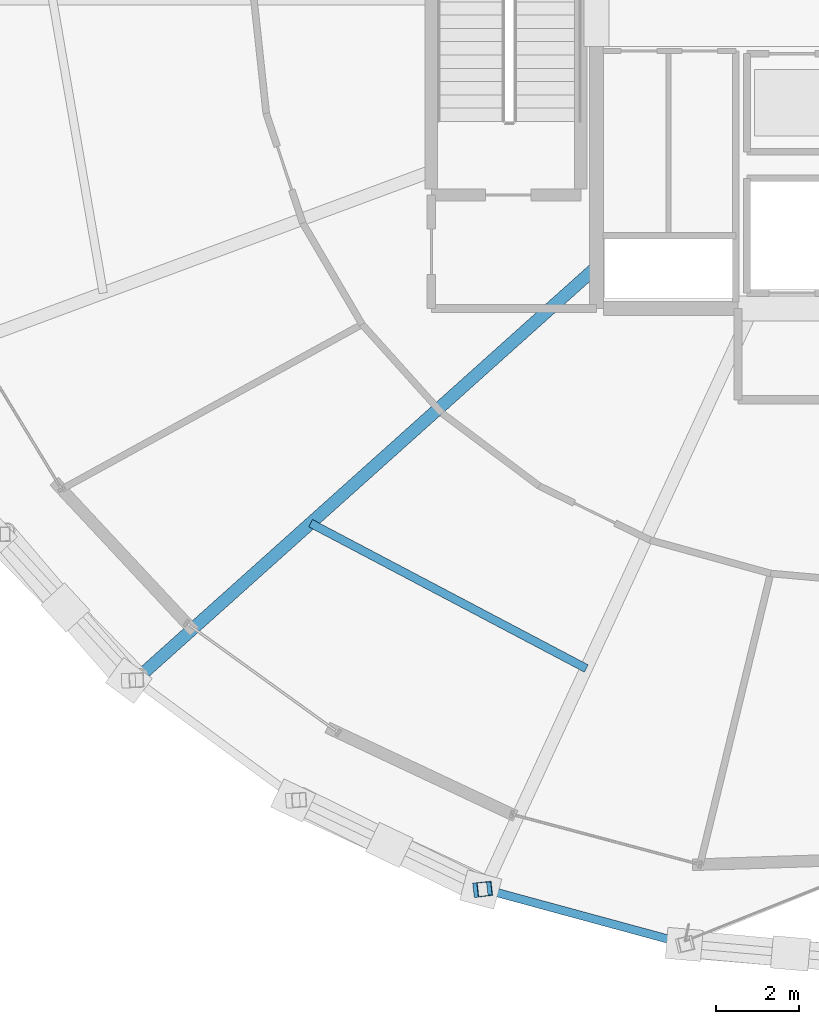
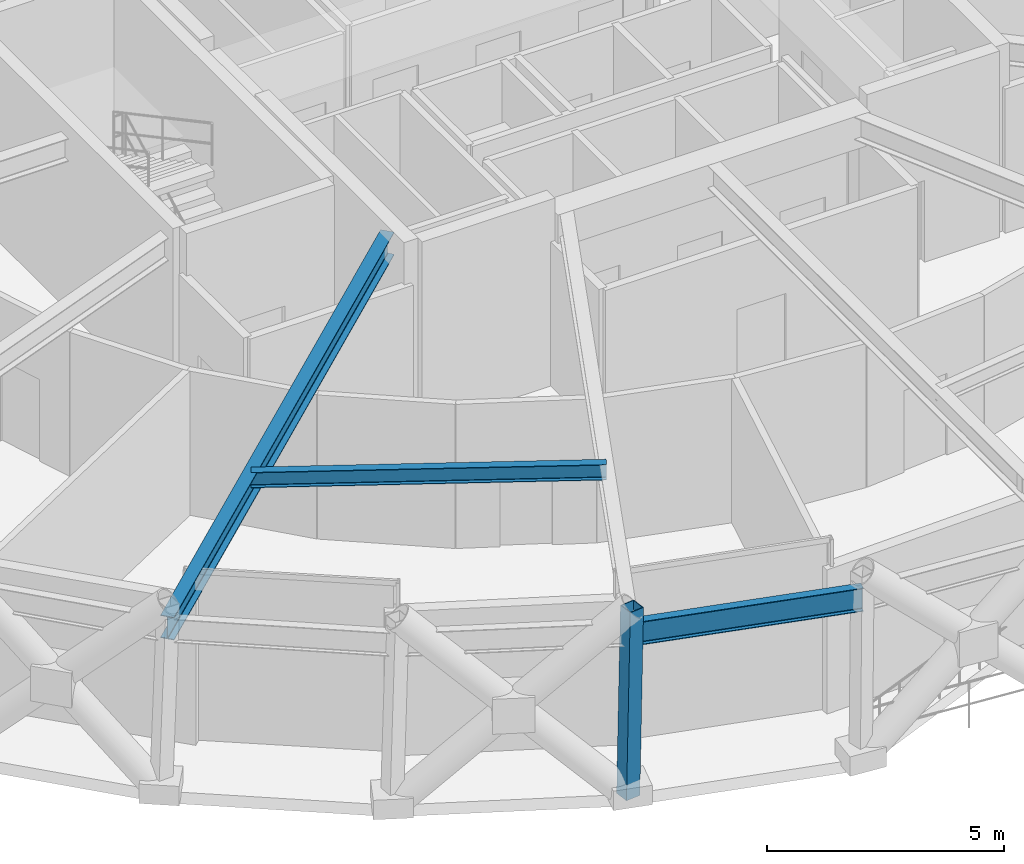
# One storey, part 3 of 29: 3 beams, 1 member.
"""IFC4 building model written with IfcOpenShell, lengths in metres."""

from ifc_helpers import new_model, si_unit, direction, frame, origin, origin_2d, place, context, subcontext, project, spatial, hollow_rectangle, i_section, extrude, material, material_profile, profile_set, type_object, element, save


model = new_model("IFC4")

# Units and contexts
model_context = context("Model", 3, precision=1e-05, world=origin(), true_north=direction((0.0, 1.0)))
body_context = subcontext(model_context, "Body", "Model", "MODEL_VIEW")
ifc_project = project(units=[si_unit("LENGTHUNIT", "METRE"), si_unit("AREAUNIT", "SQUARE_METRE"), si_unit("VOLUMEUNIT", "CUBIC_METRE"), si_unit("PLANEANGLEUNIT", "RADIAN"), si_unit("MASSUNIT", "GRAM", prefix="KILO")], contexts=[model_context])

# Site, building, storey
site_placement = place(None, origin())
site = spatial("IfcSite", under=ifc_project, at=site_placement, CompositionType="ELEMENT")
building_placement = place(site_placement, origin())
building = spatial("IfcBuilding", under=site, at=building_placement, Name="Veldorina Hangang Commons", CompositionType="ELEMENT")
storey_placement = place(building_placement, frame((0.0, 0.0, 203.60009765625)))
storey = spatial("IfcBuildingStorey", under=building, at=storey_placement, Name="L53", CompositionType="ELEMENT", Elevation=203.60009765625)

# Beams
ifc_material_1 = material(Name="Steel SM460-TMC", Category="steel")
ifc_material_profile_1 = material_profile(ifc_material_1, i_section(OverallWidth=0.300048828125, OverallDepth=0.587890625, WebThickness=0.011962890625, FlangeThickness=0.02001953125, FilletRadius=0.01806640625, at=origin_2d()), Name="H-588x300x12x20")
ifc_profile_set_1 = profile_set([ifc_material_profile_1], Name="Steel SM460-TMC")
beam_type_1 = type_object("IfcBeamType", Name="BM-FG588", PredefinedType="BEAM", material=ifc_profile_set_1)
beam_1_placement = place(storey_placement, frame((24.800048828125, 17.548828125, 4.14599609375), z_axis=(-0.744767846617, -0.667323650596, 0.0), x_axis=(0.667323650596, -0.744767846617, 0.0)))
element("IfcBeam", 1, at=beam_1_placement, inside=storey, type_object=beam_type_1, Name="L53 radial floor girder 11", PredefinedType="BEAM", context=body_context, shape_type="SweptSolid", body=[
    extrude(i_section(OverallWidth=0.300048828125, OverallDepth=0.587890625, WebThickness=0.011962890625, FlangeThickness=0.02001953125, FilletRadius=0.01806640625, at=origin_2d()), origin(), (0.0, 0.0, 1.0), 14.907958984375),
])
ifc_material_2 = material(Name="Steel SM355-TMC", Category="steel")
ifc_material_profile_2 = material_profile(ifc_material_2, i_section(OverallWidth=0.199951171875, OverallDepth=0.39990234375, WebThickness=0.008056640625, FlangeThickness=0.012939453125, FilletRadius=0.012939453125, at=origin_2d()), Name="H-400x200x8x13")
ifc_profile_set_2 = profile_set([ifc_material_profile_2], Name="Steel SM355-TMC")
beam_type_2 = type_object("IfcBeamType", Name="BM-JST400", PredefinedType="JOIST", material=ifc_profile_set_2)
beam_2_placement = place(storey_placement, frame((17.916015625, 11.380859375, 4.239990234375), z_axis=(0.884636984025, -0.466280394715, 0.0), x_axis=(0.466280394715, 0.884636984025, 0.0)))
element("IfcBeam", 2, at=beam_2_placement, inside=storey, type_object=beam_type_2, Name="L53 secondary floor joist 11", PredefinedType="JOIST", context=body_context, shape_type="SweptSolid", body=[
    extrude(i_section(OverallWidth=0.199951171875, OverallDepth=0.39990234375, WebThickness=0.008056640625, FlangeThickness=0.012939453125, FilletRadius=0.012939453125, at=origin_2d()), origin(), (0.0, 0.0, 1.0), 7.498779296875),
])
ifc_material_3 = material(Name="Steel SM420-TMC", Category="steel")
ifc_material_profile_3 = material_profile(ifc_material_3, i_section(OverallWidth=0.199951171875, OverallDepth=0.60009765625, WebThickness=0.010986328125, FlangeThickness=0.01708984375, FilletRadius=0.01806640625, at=origin_2d()), Name="H-600x200x11x17")
ifc_profile_set_3 = profile_set([ifc_material_profile_3], Name="Steel SM420-TMC")
beam_type_3 = type_object("IfcBeamType", Name="BM-RB600", PredefinedType="BEAM", material=ifc_profile_set_3)
beam_3_placement = place(storey_placement, frame((22.094482421875, 2.572998046875, 4.139892578125), z_axis=(0.964988520479, -0.262292118342, 0.0), x_axis=(0.262292118342, 0.964988520479, 0.0)))
element("IfcBeam", 3, at=beam_3_placement, inside=storey, type_object=beam_type_3, Name="L53 perimeter hoop ring beam 22", PredefinedType="BEAM", context=body_context, shape_type="SweptSolid", body=[
    extrude(i_section(OverallWidth=0.199951171875, OverallDepth=0.60009765625, WebThickness=0.010986328125, FlangeThickness=0.01708984375, FilletRadius=0.01806640625, at=origin_2d()), origin(), (0.0, 0.0, 1.0), 5.031982421875),
])

# Member
ifc_material_profile_4 = material_profile(ifc_material_2, hollow_rectangle(XDim=0.35009765625, YDim=0.35009765625, WallThickness=0.01611328125, at=origin_2d()), Name="SHS-350x350x16")
ifc_profile_set_4 = profile_set([ifc_material_profile_4], Name="Steel SM355-TMC")
member_type = type_object("IfcMemberType", Name="STR-SHS350", PredefinedType="STRUT", material=ifc_profile_set_4)
member_placement = place(storey_placement, frame((22.009521484375, 2.563232421875, 0.0), z_axis=(0.020494112741, 0.002339278377, 0.999787236926), x_axis=(-0.11340752746, 0.993548555792, 0.0)))
element("IfcMember", 4, at=member_placement, inside=storey, type_object=member_type, Name="L53 perimeter ring node post 22", PredefinedType="STRUT", context=body_context, shape_type="SweptSolid", body=[
    extrude(hollow_rectangle(XDim=0.35009765625, YDim=0.35009765625, WallThickness=0.01611328125, at=origin_2d()), origin(), (0.0, 0.0, 1.0), 4.80078125),
])

save(model, "model.ifc")
